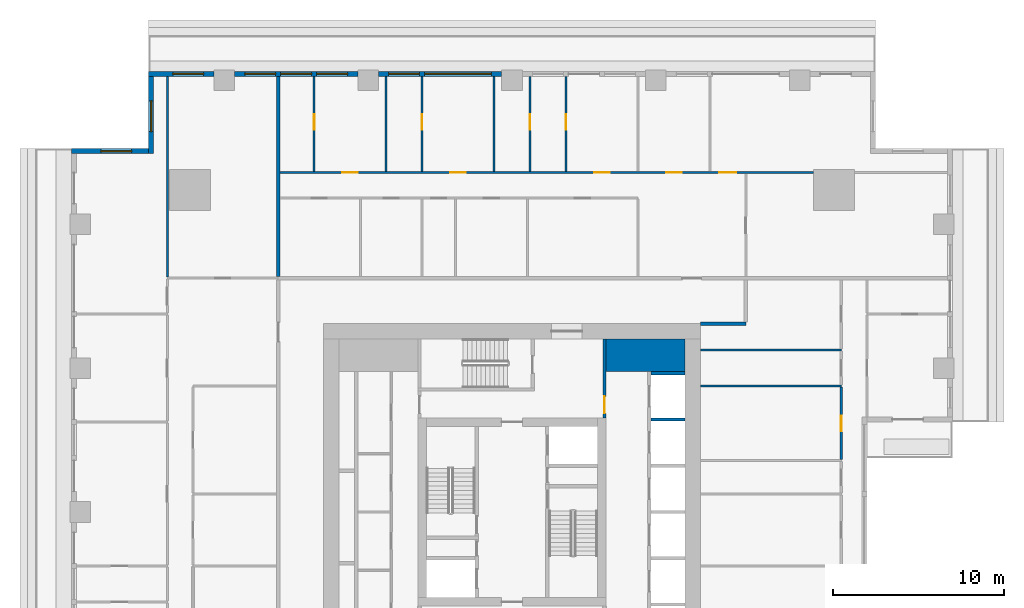
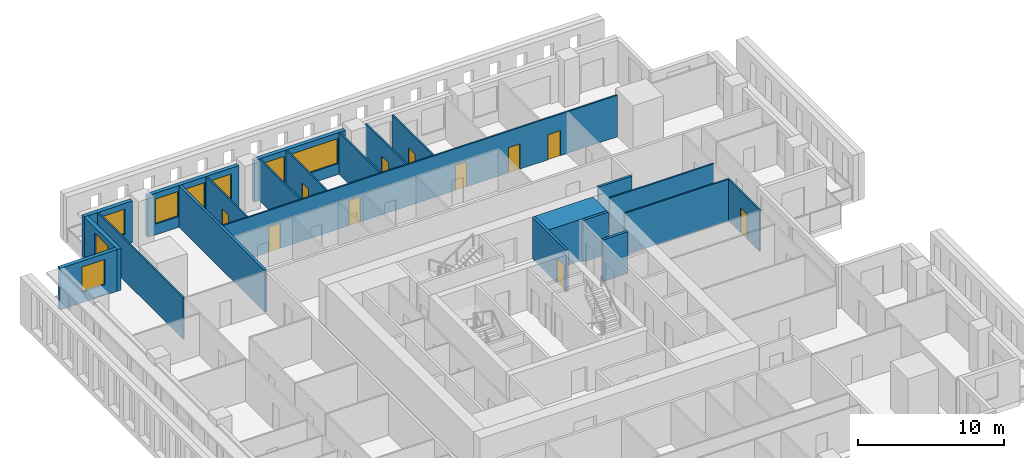
# One storey, part 7 of 15: 22 walls, 11 doors, 8 windows, 19 openings.
"""IFC4 building model written with IfcOpenShell, lengths in metres."""

from ifc_helpers import new_model, si_unit, direction, frame, frame_2d, origin, place, context, subcontext, project, spatial, rectangle, extrude, material, layer, layer_set, type_object, element, fill, save


model = new_model("IFC4")

# Units and contexts
model_context = context("Model", 3, precision=1e-05, world=origin(), true_north=direction((0.0, 1.0)))
body_context = subcontext(model_context, "Body", "Model", "MODEL_VIEW")
ifc_project = project(units=[si_unit("LENGTHUNIT", "METRE"), si_unit("AREAUNIT", "SQUARE_METRE"), si_unit("VOLUMEUNIT", "CUBIC_METRE"), si_unit("PLANEANGLEUNIT", "RADIAN"), si_unit("MASSUNIT", "GRAM", prefix="KILO")], contexts=[model_context])

# Site, building, storey
site_placement = place(None, origin())
site = spatial("IfcSite", under=ifc_project, at=site_placement, CompositionType="ELEMENT")
building_placement = place(site_placement, origin())
building = spatial("IfcBuilding", under=site, at=building_placement, Name="Khepri Terraces", CompositionType="ELEMENT")
storey_placement = place(building_placement, frame((0.0, 0.0, 196.199951171875)))
storey = spatial("IfcBuildingStorey", under=building, at=storey_placement, Name="L46", CompositionType="ELEMENT", Elevation=196.199951171875)

# Walls
ifc_material_1 = material(Name="Concrete C50/60", Category="concrete")
ifc_layer_1 = layer(ifc_material_1, 1.89990234375, Name="Concrete C50/60", Category="concrete")
ifc_layer_set_1 = layer_set([ifc_layer_1], Name="Concrete C50/60")
wall_type_1 = type_object("IfcWallType", Name="Core wall 1900 C50/60", PredefinedType="SHEAR", material=ifc_layer_set_1)
wall_1_placement = place(storey_placement, frame((5.5, 9.14990234375, 0.0), z_axis=(0.0, 0.0, 1.0), x_axis=(1.0, 0.0, 0.0)))
element("IfcWall", 1, at=wall_1_placement, inside=storey, type_object=wall_type_1, Name="Core wall PR04 L46", PredefinedType="SHEAR", context=body_context, shape_type="SweptSolid", body=[
    extrude(rectangle(XDim=4.60009765625, YDim=1.89990234375, at=frame_2d((2.300048828125, 0.0))), origin(), (0.0, 0.0, 1.0), 3.47998046875),
])
ifc_layer_2 = layer(ifc_material_1, 0.199951171875, Name="Concrete C50/60", Category="concrete")
ifc_layer_set_2 = layer_set([ifc_layer_2], Name="Concrete C50/60")
wall_type_2 = type_object("IfcWallType", Name="Core wall 200 C50/60", PredefinedType="SHEAR", material=ifc_layer_set_2)
for number, where, z_axis, x_axis, name in (
    (2, (8.10009765625, 5.39990234375, 0.0), (0.0, 0.0, 1.0), (1.0, 0.0, 0.0), "Core wall SH14 L46"),
    (3, (8.10009765625, 8.10009765625, 0.0), (0.0, 0.0, 1.0), (1.0, 0.0, 0.0), "Core wall SH15 L46"),
):
    element("IfcWall", number, at=place(storey_placement, frame(where, z_axis=z_axis, x_axis=x_axis)), inside=storey, type_object=wall_type_2, Name=name, PredefinedType="SHEAR", context=body_context, shape_type="SweptSolid", body=[
        extrude(rectangle(XDim=2.0, YDim=0.199951171875, at=frame_2d((1.0, 0.0))), origin(), (0.0, 0.0, 1.0), 3.47998046875),
    ])

# Wall, opening, door
ifc_material_2 = material(Name="Fire-rated gypsum board partition")
ifc_layer_3 = layer(ifc_material_2, 0.199951171875, Name="Fire-rated gypsum board partition")
ifc_layer_set_3 = layer_set([ifc_layer_3], Name="Fire-rated gypsum board partition")
wall_type_3 = type_object("IfcWallType", Name="WL-CORE-PART-200", PredefinedType="PARTITIONING", material=ifc_layer_set_3)
wall_2_placement = place(storey_placement, frame((5.39990234375, 5.5, 0.0), z_axis=(0.0, 0.0, 1.0), x_axis=(0.0, 1.0, 0.0)))
wall_2 = element("IfcWall", 4, at=wall_2_placement, inside=storey, type_object=wall_type_3, Name="Core partition PT10 L46", PredefinedType="PARTITIONING", context=body_context, shape_type="SweptSolid", body=[
    extrude(rectangle(XDim=4.60009765625, YDim=0.199951171875, at=frame_2d((2.300048828125, 0.0))), origin(), (0.0, 0.0, 1.0), 3.47998046875),
])
opening_1_placement = place(wall_2_placement, frame((0.25, 0.0, 0.0)))
opening_1 = element("IfcOpeningElement", 5, at=opening_1_placement, cuts=wall_2, Name="Opening L46-C17", PredefinedType="OPENING", context=body_context, shape_type="SweptSolid", body=[
    extrude(rectangle(XDim=1.0, YDim=2.10009765625, at=frame_2d((0.5, 1.050048828125))), frame((0.0, 0.10986328125, 0.0), z_axis=(0.0, -1.0, 0.0), x_axis=(1.0, 0.0, 0.0)), (0.0, 0.0, 1.0), 0.219970703125),
])
ifc_material_3 = material(Name="Painted steel", Category="steel")
door_type_1 = type_object("IfcDoorType", Name="DR-CORE-LOBBY-1000", OperationType="NOTDEFINED", PredefinedType="DOOR", material=ifc_material_3)
door_1_placement = place(opening_1_placement, origin())
door_1 = element("IfcDoor", 6, at=door_1_placement, inside=storey, type_object=door_type_1, Name="Lobby door L46-C17", OperationType="SINGLE_SWING_LEFT", OverallHeight=2.10009765625, OverallWidth=1.0, PredefinedType="DOOR", context=body_context, shape_type="SweptSolid", body=[
    extrude(rectangle(XDim=1.0, YDim=2.10009765625, at=frame_2d((0.5, 1.050048828125))), frame((0.0, 0.02490234375, 0.0), z_axis=(0.0, -1.0, 0.0), x_axis=(1.0, 0.0, 0.0)), (0.0, 0.0, 1.0), 0.050048828125),
])
fill(opening_1, door_1)

# Walls
ifc_material_4 = material(Name="Fire-rated gypsum plasterboard partition, mineral wool")
ifc_layer_4 = layer(ifc_material_4, 0.199951171875, Name="Fire-rated gypsum plasterboard partition, mineral wool")
ifc_layer_set_4 = layer_set([ifc_layer_4], Name="Fire-rated gypsum plasterboard partition, mineral wool")
wall_type_4 = type_object("IfcWallType", Name="WL-CORR-200", PredefinedType="PARTITIONING", material=ifc_layer_set_4)
wall_3_placement = place(storey_placement, frame((11.0, 11.0, 0.0), z_axis=(0.0, 0.0, 1.0), x_axis=(1.0, 0.0, 0.0)))
element("IfcWall", 7, at=wall_3_placement, inside=storey, type_object=wall_type_4, Name="Partition P-062 L46", PredefinedType="PARTITIONING", context=body_context, shape_type="SweptSolid", body=[
    extrude(rectangle(XDim=2.64990234375, YDim=0.199951171875, at=frame_2d((1.324951171875, 0.0))), origin(), (0.0, 0.0, 1.0), 3.47998046875),
])
wall_4_placement = place(storey_placement, frame((-13.64990234375, 13.75, 0.0), z_axis=(0.0, 0.0, 1.0), x_axis=(0.0, 1.0, 0.0)))
element("IfcWall", 8, at=wall_4_placement, inside=storey, type_object=wall_type_4, Name="Partition P-071 L46", PredefinedType="PARTITIONING", context=body_context, shape_type="SweptSolid", body=[
    extrude(rectangle(XDim=11.669921875, YDim=0.199951171875, at=frame_2d((5.8349609375, 0.0))), origin(), (0.0, 0.0, 1.0), 3.47998046875),
])

# Wall, openings, windows
ifc_material_5 = material(Name="Precast concrete C50/60 warm stone", Category="masonry")
ifc_layer_5 = layer(ifc_material_5, 0.300048828125, Name="Precast concrete C50/60 warm stone", Category="masonry")
ifc_layer_set_5 = layer_set([ifc_layer_5], Name="Precast concrete C50/60 warm stone")
wall_type_5 = type_object("IfcWallType", Name="WL-EXT-PRECAST-300", PredefinedType="STANDARD", material=ifc_layer_set_5)
wall_5_placement = place(storey_placement, frame((-0.60009765625, 25.570068359375, 0.0), z_axis=(0.0, 0.0, 1.0), x_axis=(-1.0, 0.0, 0.0)))
wall_5 = element("IfcWall", 9, at=wall_5_placement, inside=storey, type_object=wall_type_5, Name="External wall L46 N", PredefinedType="STANDARD", context=body_context, shape_type="SweptSolid", body=[
    extrude(rectangle(XDim=7.199951171875, YDim=0.300048828125, at=frame_2d((3.60009765625, 0.0))), origin(), (0.0, 0.0, 1.0), 3.47998046875),
])
opening_2_placement = place(wall_5_placement, frame((0.60009765625, 0.0, 0.89990234375)))
opening_2 = element("IfcOpeningElement", 10, at=opening_2_placement, cuts=wall_5, Name="Opening W2", PredefinedType="OPENING", context=body_context, shape_type="SweptSolid", body=[
    extrude(rectangle(XDim=3.89990234375, YDim=2.10009765625, at=frame_2d((1.949951171875, 1.050048828125))), frame((0.0, 0.16015625, 0.0), z_axis=(0.0, -1.0, 0.0), x_axis=(1.0, 0.0, 0.0)), (0.0, 0.0, 1.0), 0.320068359375),
])
opening_3_placement = place(wall_5_placement, frame((4.800048828125, 0.0, 0.89990234375)))
opening_3 = element("IfcOpeningElement", 11, at=opening_3_placement, cuts=wall_5, Name="Opening W1", PredefinedType="OPENING", context=body_context, shape_type="SweptSolid", body=[
    extrude(rectangle(XDim=1.800048828125, YDim=2.10009765625, at=frame_2d((0.89990234375, 1.050048828125))), frame((0.0, 0.16015625, 0.0), z_axis=(0.0, -1.0, 0.0), x_axis=(1.0, 0.0, 0.0)), (0.0, 0.0, 1.0), 0.320068359375),
])
ifc_material_6 = material(Name="Clear glass", Category="glass")
window_type_1 = type_object("IfcWindowType", Name="WIN-RES-1800x2100", PartitioningType="SINGLE_PANEL", PredefinedType="WINDOW", material=ifc_material_6)
window_1_placement = place(opening_3_placement, origin())
window_1 = element("IfcWindow", 12, at=window_1_placement, inside=storey, type_object=window_type_1, Name="Window L46 N", OverallHeight=2.10009765625, OverallWidth=1.800048828125, PartitioningType="SINGLE_PANEL", PredefinedType="WINDOW", context=body_context, shape_type="SweptSolid", body=[
    extrude(rectangle(XDim=1.800048828125, YDim=2.10009765625, at=frame_2d((0.89990234375, 1.050048828125))), frame((0.0, 0.030029296875, 0.0), z_axis=(0.0, -1.0, 0.0), x_axis=(1.0, 0.0, 0.0)), (0.0, 0.0, 1.0), 0.06005859375),
])
fill(opening_3, window_1)
window_type_2 = type_object("IfcWindowType", Name="WIN-RES-3900x2100", PartitioningType="SINGLE_PANEL", PredefinedType="WINDOW", material=ifc_material_6)
window_2_placement = place(opening_2_placement, origin())
window_2 = element("IfcWindow", 13, at=window_2_placement, inside=storey, type_object=window_type_2, Name="Window L46 N", OverallHeight=2.10009765625, OverallWidth=3.89990234375, PartitioningType="SINGLE_PANEL", PredefinedType="WINDOW", context=body_context, shape_type="SweptSolid", body=[
    extrude(rectangle(XDim=3.89990234375, YDim=2.10009765625, at=frame_2d((1.949951171875, 1.050048828125))), frame((0.0, 0.030029296875, 0.0), z_axis=(0.0, -1.0, 0.0), x_axis=(1.0, 0.0, 0.0)), (0.0, 0.0, 1.0), 0.06005859375),
])
fill(opening_2, window_2)

wall_6_placement = place(storey_placement, frame((-9.0, 25.570068359375, 0.0), z_axis=(0.0, 0.0, 1.0), x_axis=(-1.0, 0.0, 0.0)))
wall_6 = element("IfcWall", 14, at=wall_6_placement, inside=storey, type_object=wall_type_5, Name="External wall L46 N", PredefinedType="STANDARD", context=body_context, shape_type="SweptSolid", body=[
    extrude(rectangle(XDim=7.199951171875, YDim=0.300048828125, at=frame_2d((3.60009765625, 0.0))), origin(), (0.0, 0.0, 1.0), 3.47998046875),
])
opening_4_placement = place(wall_6_placement, frame((0.60009765625, 0.0, 0.89990234375)))
opening_4 = element("IfcOpeningElement", 15, at=opening_4_placement, cuts=wall_6, Name="Opening W1", PredefinedType="OPENING", context=body_context, shape_type="SweptSolid", body=[
    extrude(rectangle(XDim=1.800048828125, YDim=2.10009765625, at=frame_2d((0.89990234375, 1.050048828125))), frame((0.0, 0.16015625, 0.0), z_axis=(0.0, -1.0, 0.0), x_axis=(1.0, 0.0, 0.0)), (0.0, 0.0, 1.0), 0.320068359375),
])
opening_5_placement = place(wall_6_placement, frame((2.699951171875, 0.0, 0.89990234375)))
opening_5 = element("IfcOpeningElement", 16, at=opening_5_placement, cuts=wall_6, Name="Opening W1", PredefinedType="OPENING", context=body_context, shape_type="SweptSolid", body=[
    extrude(rectangle(XDim=1.800048828125, YDim=2.10009765625, at=frame_2d((0.89990234375, 1.050048828125))), frame((0.0, 0.16015625, 0.0), z_axis=(0.0, -1.0, 0.0), x_axis=(1.0, 0.0, 0.0)), (0.0, 0.0, 1.0), 0.320068359375),
])
opening_6_placement = place(wall_6_placement, frame((4.800048828125, 0.0, 0.89990234375)))
opening_6 = element("IfcOpeningElement", 17, at=opening_6_placement, cuts=wall_6, Name="Opening W1", PredefinedType="OPENING", context=body_context, shape_type="SweptSolid", body=[
    extrude(rectangle(XDim=1.800048828125, YDim=2.10009765625, at=frame_2d((0.89990234375, 1.050048828125))), frame((0.0, 0.16015625, 0.0), z_axis=(0.0, -1.0, 0.0), x_axis=(1.0, 0.0, 0.0)), (0.0, 0.0, 1.0), 0.320068359375),
])
window_3_placement = place(opening_4_placement, origin())
window_3 = element("IfcWindow", 18, at=window_3_placement, inside=storey, type_object=window_type_1, Name="Window L46 N", OverallHeight=2.10009765625, OverallWidth=1.800048828125, PartitioningType="SINGLE_PANEL", PredefinedType="WINDOW", context=body_context, shape_type="SweptSolid", body=[
    extrude(rectangle(XDim=1.800048828125, YDim=2.10009765625, at=frame_2d((0.89990234375, 1.050048828125))), frame((0.0, 0.030029296875, 0.0), z_axis=(0.0, -1.0, 0.0), x_axis=(1.0, 0.0, 0.0)), (0.0, 0.0, 1.0), 0.06005859375),
])
fill(opening_4, window_3)
window_4_placement = place(opening_5_placement, origin())
window_4 = element("IfcWindow", 19, at=window_4_placement, inside=storey, type_object=window_type_1, Name="Window L46 N", OverallHeight=2.10009765625, OverallWidth=1.800048828125, PartitioningType="SINGLE_PANEL", PredefinedType="WINDOW", context=body_context, shape_type="SweptSolid", body=[
    extrude(rectangle(XDim=1.800048828125, YDim=2.10009765625, at=frame_2d((0.89990234375, 1.050048828125))), frame((0.0, 0.030029296875, 0.0), z_axis=(0.0, -1.0, 0.0), x_axis=(1.0, 0.0, 0.0)), (0.0, 0.0, 1.0), 0.06005859375),
])
fill(opening_5, window_4)
window_5_placement = place(opening_6_placement, origin())
window_5 = element("IfcWindow", 20, at=window_5_placement, inside=storey, type_object=window_type_1, Name="Window L46 N", OverallHeight=2.10009765625, OverallWidth=1.800048828125, PartitioningType="SINGLE_PANEL", PredefinedType="WINDOW", context=body_context, shape_type="SweptSolid", body=[
    extrude(rectangle(XDim=1.800048828125, YDim=2.10009765625, at=frame_2d((0.89990234375, 1.050048828125))), frame((0.0, 0.030029296875, 0.0), z_axis=(0.0, -1.0, 0.0), x_axis=(1.0, 0.0, 0.0)), (0.0, 0.0, 1.0), 0.06005859375),
])
fill(opening_6, window_5)

# Wall, opening, window
wall_7_placement = place(storey_placement, frame((-17.39990234375, 25.570068359375, 0.0), z_axis=(0.0, 0.0, 1.0), x_axis=(-1.0, 0.0, 0.0)))
wall_7 = element("IfcWall", 21, at=wall_7_placement, inside=storey, type_object=wall_type_5, Name="External wall L46 N", PredefinedType="STANDARD", context=body_context, shape_type="SweptSolid", body=[
    extrude(rectangle(XDim=3.820068359375, YDim=0.300048828125, at=frame_2d((1.91015625, 0.0))), origin(), (0.0, 0.0, 1.0), 3.47998046875),
])
opening_7_placement = place(wall_7_placement, frame((0.60009765625, 0.0, 0.89990234375)))
opening_7 = element("IfcOpeningElement", 22, at=opening_7_placement, cuts=wall_7, Name="Opening W1", PredefinedType="OPENING", context=body_context, shape_type="SweptSolid", body=[
    extrude(rectangle(XDim=1.800048828125, YDim=2.10009765625, at=frame_2d((0.89990234375, 1.050048828125))), frame((0.0, 0.16015625, 0.0), z_axis=(0.0, -1.0, 0.0), x_axis=(1.0, 0.0, 0.0)), (0.0, 0.0, 1.0), 0.320068359375),
])
window_6_placement = place(opening_7_placement, origin())
window_6 = element("IfcWindow", 23, at=window_6_placement, inside=storey, type_object=window_type_1, Name="Window L46 N", OverallHeight=2.10009765625, OverallWidth=1.800048828125, PartitioningType="SINGLE_PANEL", PredefinedType="WINDOW", context=body_context, shape_type="SweptSolid", body=[
    extrude(rectangle(XDim=1.800048828125, YDim=2.10009765625, at=frame_2d((0.89990234375, 1.050048828125))), frame((0.0, 0.030029296875, 0.0), z_axis=(0.0, -1.0, 0.0), x_axis=(1.0, 0.0, 0.0)), (0.0, 0.0, 1.0), 0.06005859375),
])
fill(opening_7, window_6)

wall_8_placement = place(storey_placement, frame((-21.070068359375, 25.419921875, 0.0), z_axis=(0.0, 0.0, 1.0), x_axis=(0.0, -1.0, 0.0)))
wall_8 = element("IfcWall", 24, at=wall_8_placement, inside=storey, type_object=wall_type_5, Name="External wall L46 W", PredefinedType="STANDARD", context=body_context, shape_type="SweptSolid", body=[
    extrude(rectangle(XDim=4.5, YDim=0.300048828125, at=frame_2d((2.25, 0.0))), origin(), (0.0, 0.0, 1.0), 3.47998046875),
])
opening_8_placement = place(wall_8_placement, frame((1.419921875, 0.0, 0.89990234375)))
opening_8 = element("IfcOpeningElement", 25, at=opening_8_placement, cuts=wall_8, Name="Opening W1", PredefinedType="OPENING", context=body_context, shape_type="SweptSolid", body=[
    extrude(rectangle(XDim=1.800048828125, YDim=2.10009765625, at=frame_2d((0.89990234375, 1.050048828125))), frame((0.0, 0.16015625, 0.0), z_axis=(0.0, -1.0, 0.0), x_axis=(1.0, 0.0, 0.0)), (0.0, 0.0, 1.0), 0.320068359375),
])
window_7_placement = place(opening_8_placement, origin())
window_7 = element("IfcWindow", 26, at=window_7_placement, inside=storey, type_object=window_type_1, Name="Window L46 W", OverallHeight=2.10009765625, OverallWidth=1.800048828125, PartitioningType="SINGLE_PANEL", PredefinedType="WINDOW", context=body_context, shape_type="SweptSolid", body=[
    extrude(rectangle(XDim=1.800048828125, YDim=2.10009765625, at=frame_2d((0.89990234375, 1.050048828125))), frame((0.0, 0.030029296875, 0.0), z_axis=(0.0, -1.0, 0.0), x_axis=(1.0, 0.0, 0.0)), (0.0, 0.0, 1.0), 0.06005859375),
])
fill(opening_8, window_7)

wall_9_placement = place(storey_placement, frame((-21.219970703125, 21.070068359375, 0.0), z_axis=(0.0, 0.0, 1.0), x_axis=(-1.0, 0.0, 0.0)))
wall_9 = element("IfcWall", 27, at=wall_9_placement, inside=storey, type_object=wall_type_5, Name="External wall L46 N", PredefinedType="STANDARD", context=body_context, shape_type="SweptSolid", body=[
    extrude(rectangle(XDim=4.5, YDim=0.300048828125, at=frame_2d((2.25, 0.0))), origin(), (0.0, 0.0, 1.0), 3.47998046875),
])
opening_9_placement = place(wall_9_placement, frame((0.97998046875, 0.0, 0.89990234375)))
opening_9 = element("IfcOpeningElement", 28, at=opening_9_placement, cuts=wall_9, Name="Opening W1", PredefinedType="OPENING", context=body_context, shape_type="SweptSolid", body=[
    extrude(rectangle(XDim=1.800048828125, YDim=2.10009765625, at=frame_2d((0.89990234375, 1.050048828125))), frame((0.0, 0.16015625, 0.0), z_axis=(0.0, -1.0, 0.0), x_axis=(1.0, 0.0, 0.0)), (0.0, 0.0, 1.0), 0.320068359375),
])
window_8_placement = place(opening_9_placement, origin())
window_8 = element("IfcWindow", 29, at=window_8_placement, inside=storey, type_object=window_type_1, Name="Window L46 N", OverallHeight=2.10009765625, OverallWidth=1.800048828125, PartitioningType="SINGLE_PANEL", PredefinedType="WINDOW", context=body_context, shape_type="SweptSolid", body=[
    extrude(rectangle(XDim=1.800048828125, YDim=2.10009765625, at=frame_2d((0.89990234375, 1.050048828125))), frame((0.0, 0.030029296875, 0.0), z_axis=(0.0, -1.0, 0.0), x_axis=(1.0, 0.0, 0.0)), (0.0, 0.0, 1.0), 0.06005859375),
])
fill(opening_9, window_8)

# Wall, opening, door
ifc_material_7 = material(Name="Gypsum plasterboard partition")
ifc_layer_6 = layer(ifc_material_7, 0.1201171875, Name="Gypsum plasterboard partition")
ifc_layer_set_6 = layer_set([ifc_layer_6], Name="Gypsum plasterboard partition")
wall_type_6 = type_object("IfcWallType", Name="WL-PART-120", PredefinedType="PARTITIONING", material=ifc_layer_set_6)
wall_10_placement = place(storey_placement, frame((19.219970703125, 3.06005859375, 0.0), z_axis=(0.0, 0.0, 1.0), x_axis=(0.0, 1.0, 0.0)))
wall_10 = element("IfcWall", 30, at=wall_10_placement, inside=storey, type_object=wall_type_6, Name="Partition P-053 L46", PredefinedType="PARTITIONING", context=body_context, shape_type="SweptSolid", body=[
    extrude(rectangle(XDim=4.22998046875, YDim=0.1201171875, at=frame_2d((2.114990234375, 0.0))), origin(), (0.0, 0.0, 1.0), 3.47998046875),
])
opening_10_placement = place(wall_10_placement, frame((1.6650390625, 0.0, 0.0)))
opening_10 = element("IfcOpeningElement", 31, at=opening_10_placement, cuts=wall_10, Name="Opening D3", PredefinedType="OPENING", context=body_context, shape_type="SweptSolid", body=[
    extrude(rectangle(XDim=0.89990234375, YDim=2.10009765625, at=frame_2d((0.449951171875, 1.050048828125))), frame((0.0, 0.070068359375, 0.0), z_axis=(0.0, -1.0, 0.0), x_axis=(1.0, 0.0, 0.0)), (0.0, 0.0, 1.0), 0.14013671875),
])
ifc_material_8 = material(Name="Timber door leaf", Category="wood")
door_type_2 = type_object("IfcDoorType", Name="DR-INT-900", OperationType="NOTDEFINED", PredefinedType="DOOR", material=ifc_material_8)
door_2_placement = place(opening_10_placement, origin())
door_2 = element("IfcDoor", 32, at=door_2_placement, inside=storey, type_object=door_type_2, Name="Door Utility Room", OperationType="SINGLE_SWING_LEFT", OverallHeight=2.10009765625, OverallWidth=0.89990234375, PredefinedType="DOOR", context=body_context, shape_type="SweptSolid", body=[
    extrude(rectangle(XDim=0.89990234375, YDim=2.10009765625, at=frame_2d((0.449951171875, 1.050048828125))), frame((0.0, 0.02490234375, 0.0), z_axis=(0.0, -1.0, 0.0), x_axis=(1.0, 0.0, 0.0)), (0.0, 0.0, 1.0), 0.050048828125),
])
fill(opening_10, door_2)

# Walls
for number, where, z_axis, x_axis, name in (
    (33, (11.0, 7.35009765625, 0.0), (0.0, 0.0, 1.0), (1.0, 0.0, 0.0), "Partition P-058 L46"),
    (34, (11.0, 9.449951171875, 0.0), (0.0, 0.0, 1.0), (1.0, 0.0, 0.0), "Partition P-060 L46"),
):
    element("IfcWall", number, at=place(storey_placement, frame(where, z_axis=z_axis, x_axis=x_axis)), inside=storey, type_object=wall_type_6, Name=name, PredefinedType="PARTITIONING", context=body_context, shape_type="SweptSolid", body=[
        extrude(rectangle(XDim=8.219970703125, YDim=0.1201171875, at=frame_2d((4.10986328125, 0.0))), origin(), (0.0, 0.0, 1.0), 3.47998046875),
    ])
wall_11_placement = place(storey_placement, frame((-20.1201171875, 13.7099609375, 0.0), z_axis=(0.0, 0.0, 1.0), x_axis=(0.0, 1.0, 0.0)))
element("IfcWall", 35, at=wall_11_placement, inside=storey, type_object=wall_type_6, Name="Partition P-070 L46", PredefinedType="PARTITIONING", context=body_context, shape_type="SweptSolid", body=[
    extrude(rectangle(XDim=11.7099609375, YDim=0.1201171875, at=frame_2d((5.85498046875, 0.0))), origin(), (0.0, 0.0, 1.0), 3.47998046875),
])

# Wall, openings, doors
wall_12_placement = place(storey_placement, frame((-13.550048828125, 19.820068359375, 0.0), z_axis=(0.0, 0.0, 1.0), x_axis=(1.0, 0.0, 0.0)))
wall_12 = element("IfcWall", 36, at=wall_12_placement, inside=storey, type_object=wall_type_6, Name="Partition P-079 L46", PredefinedType="PARTITIONING", context=body_context, shape_type="SweptSolid", body=[
    extrude(rectangle(XDim=31.150146484375, YDim=0.1201171875, at=frame_2d((15.5751953125, 0.0))), origin(), (0.0, 0.0, 1.0), 3.47998046875),
])
opening_11_placement = place(wall_12_placement, frame((25.64990234375, 0.0, 0.0)))
opening_11 = element("IfcOpeningElement", 37, at=opening_11_placement, cuts=wall_12, Name="Opening D2", PredefinedType="OPENING", context=body_context, shape_type="SweptSolid", body=[
    extrude(rectangle(XDim=1.0, YDim=2.10009765625, at=frame_2d((0.5, 1.050048828125))), frame((0.0, 0.070068359375, 0.0), z_axis=(0.0, -1.0, 0.0), x_axis=(1.0, 0.0, 0.0)), (0.0, 0.0, 1.0), 0.14013671875),
])
opening_12_placement = place(wall_12_placement, frame((22.550048828125, 0.0, 0.0)))
opening_12 = element("IfcOpeningElement", 38, at=opening_12_placement, cuts=wall_12, Name="Opening D3", PredefinedType="OPENING", context=body_context, shape_type="SweptSolid", body=[
    extrude(rectangle(XDim=0.89990234375, YDim=2.10009765625, at=frame_2d((0.449951171875, 1.050048828125))), frame((0.0, 0.070068359375, 0.0), z_axis=(0.0, -1.0, 0.0), x_axis=(1.0, 0.0, 0.0)), (0.0, 0.0, 1.0), 0.14013671875),
])
opening_13_placement = place(wall_12_placement, frame((18.35009765625, 0.0, 0.0)))
opening_13 = element("IfcOpeningElement", 39, at=opening_13_placement, cuts=wall_12, Name="Opening D3", PredefinedType="OPENING", context=body_context, shape_type="SweptSolid", body=[
    extrude(rectangle(XDim=0.89990234375, YDim=2.10009765625, at=frame_2d((0.449951171875, 1.050048828125))), frame((0.0, 0.070068359375, 0.0), z_axis=(0.0, -1.0, 0.0), x_axis=(1.0, 0.0, 0.0)), (0.0, 0.0, 1.0), 0.14013671875),
])
opening_14_placement = place(wall_12_placement, frame((9.949951171875, 0.0, 0.0)))
opening_14 = element("IfcOpeningElement", 40, at=opening_14_placement, cuts=wall_12, Name="Opening D3", PredefinedType="OPENING", context=body_context, shape_type="SweptSolid", body=[
    extrude(rectangle(XDim=0.89990234375, YDim=2.10009765625, at=frame_2d((0.449951171875, 1.050048828125))), frame((0.0, 0.070068359375, 0.0), z_axis=(0.0, -1.0, 0.0), x_axis=(1.0, 0.0, 0.0)), (0.0, 0.0, 1.0), 0.14013671875),
])
opening_15_placement = place(wall_12_placement, frame((3.64990234375, 0.0, 0.0)))
opening_15 = element("IfcOpeningElement", 41, at=opening_15_placement, cuts=wall_12, Name="Opening D3", PredefinedType="OPENING", context=body_context, shape_type="SweptSolid", body=[
    extrude(rectangle(XDim=0.89990234375, YDim=2.10009765625, at=frame_2d((0.449951171875, 1.050048828125))), frame((0.0, 0.070068359375, 0.0), z_axis=(0.0, -1.0, 0.0), x_axis=(1.0, 0.0, 0.0)), (0.0, 0.0, 1.0), 0.14013671875),
])
ifc_material_9 = material(Name="Timber door leaf, living room door", Category="wood")
door_type_3 = type_object("IfcDoorType", Name="DR-INT-1000", OperationType="NOTDEFINED", PredefinedType="DOOR", material=ifc_material_9)
door_3_placement = place(opening_11_placement, origin())
door_3 = element("IfcDoor", 42, at=door_3_placement, inside=storey, type_object=door_type_3, Name="Door Living Room", OperationType="SINGLE_SWING_RIGHT", OverallHeight=2.10009765625, OverallWidth=1.0, PredefinedType="DOOR", context=body_context, shape_type="SweptSolid", body=[
    extrude(rectangle(XDim=1.0, YDim=2.10009765625, at=frame_2d((0.5, 1.050048828125))), frame((0.0, 0.02490234375, 0.0), z_axis=(0.0, -1.0, 0.0), x_axis=(1.0, 0.0, 0.0)), (0.0, 0.0, 1.0), 0.050048828125),
])
fill(opening_11, door_3)
door_4_placement = place(opening_12_placement, origin())
door_4 = element("IfcDoor", 43, at=door_4_placement, inside=storey, type_object=door_type_2, Name="Door Study", OperationType="SINGLE_SWING_RIGHT", OverallHeight=2.10009765625, OverallWidth=0.89990234375, PredefinedType="DOOR", context=body_context, shape_type="SweptSolid", body=[
    extrude(rectangle(XDim=0.89990234375, YDim=2.10009765625, at=frame_2d((0.449951171875, 1.050048828125))), frame((0.0, 0.02490234375, 0.0), z_axis=(0.0, -1.0, 0.0), x_axis=(1.0, 0.0, 0.0)), (0.0, 0.0, 1.0), 0.050048828125),
])
fill(opening_12, door_4)
door_5_placement = place(opening_13_placement, origin())
door_5 = element("IfcDoor", 44, at=door_5_placement, inside=storey, type_object=door_type_2, Name="Door Master Bedroom", OperationType="SINGLE_SWING_RIGHT", OverallHeight=2.10009765625, OverallWidth=0.89990234375, PredefinedType="DOOR", context=body_context, shape_type="SweptSolid", body=[
    extrude(rectangle(XDim=0.89990234375, YDim=2.10009765625, at=frame_2d((0.449951171875, 1.050048828125))), frame((0.0, 0.02490234375, 0.0), z_axis=(0.0, -1.0, 0.0), x_axis=(1.0, 0.0, 0.0)), (0.0, 0.0, 1.0), 0.050048828125),
])
fill(opening_13, door_5)
door_6_placement = place(opening_14_placement, origin())
door_6 = element("IfcDoor", 45, at=door_6_placement, inside=storey, type_object=door_type_2, Name="Door Bedroom", OperationType="SINGLE_SWING_LEFT", OverallHeight=2.10009765625, OverallWidth=0.89990234375, PredefinedType="DOOR", context=body_context, shape_type="SweptSolid", body=[
    extrude(rectangle(XDim=0.89990234375, YDim=2.10009765625, at=frame_2d((0.449951171875, 1.050048828125))), frame((0.0, 0.02490234375, 0.0), z_axis=(0.0, -1.0, 0.0), x_axis=(1.0, 0.0, 0.0)), (0.0, 0.0, 1.0), 0.050048828125),
])
fill(opening_14, door_6)
door_7_placement = place(opening_15_placement, origin())
door_7 = element("IfcDoor", 46, at=door_7_placement, inside=storey, type_object=door_type_2, Name="Door Bedroom", OperationType="SINGLE_SWING_LEFT", OverallHeight=2.10009765625, OverallWidth=0.89990234375, PredefinedType="DOOR", context=body_context, shape_type="SweptSolid", body=[
    extrude(rectangle(XDim=0.89990234375, YDim=2.10009765625, at=frame_2d((0.449951171875, 1.050048828125))), frame((0.0, 0.02490234375, 0.0), z_axis=(0.0, -1.0, 0.0), x_axis=(1.0, 0.0, 0.0)), (0.0, 0.0, 1.0), 0.050048828125),
])
fill(opening_15, door_7)

# Wall, opening, door
wall_13_placement = place(storey_placement, frame((-11.550048828125, 19.8798828125, 0.0), z_axis=(0.0, 0.0, 1.0), x_axis=(0.0, 1.0, 0.0)))
wall_13 = element("IfcWall", 47, at=wall_13_placement, inside=storey, type_object=wall_type_6, Name="Partition P-081 L46", PredefinedType="PARTITIONING", context=body_context, shape_type="SweptSolid", body=[
    extrude(rectangle(XDim=5.5400390625, YDim=0.1201171875, at=frame_2d((2.77001953125, 0.0))), origin(), (0.0, 0.0, 1.0), 3.47998046875),
])
opening_16_placement = place(wall_13_placement, frame((2.43994140625, 0.0, 0.0)))
opening_16 = element("IfcOpeningElement", 48, at=opening_16_placement, cuts=wall_13, Name="Opening D4", PredefinedType="OPENING", context=body_context, shape_type="SweptSolid", body=[
    extrude(rectangle(XDim=0.89990234375, YDim=2.10009765625, at=frame_2d((0.449951171875, 1.050048828125))), frame((0.0, 0.070068359375, 0.0), z_axis=(0.0, -1.0, 0.0), x_axis=(1.0, 0.0, 0.0)), (0.0, 0.0, 1.0), 0.14013671875),
])
ifc_material_10 = material(Name="Timber door leaf, moisture resistant", Category="wood")
door_type_4 = type_object("IfcDoorType", Name="DR-WET-900", OperationType="NOTDEFINED", PredefinedType="DOOR", material=ifc_material_10)
door_8_placement = place(opening_16_placement, origin())
door_8 = element("IfcDoor", 49, at=door_8_placement, inside=storey, type_object=door_type_4, Name="Door Bathroom", OperationType="SINGLE_SWING_RIGHT", OverallHeight=2.10009765625, OverallWidth=0.89990234375, PredefinedType="DOOR", context=body_context, shape_type="SweptSolid", body=[
    extrude(rectangle(XDim=0.89990234375, YDim=2.10009765625, at=frame_2d((0.449951171875, 1.050048828125))), frame((0.0, 0.02490234375, 0.0), z_axis=(0.0, -1.0, 0.0), x_axis=(1.0, 0.0, 0.0)), (0.0, 0.0, 1.0), 0.050048828125),
])
fill(opening_16, door_8)

# Wall
wall_14_placement = place(storey_placement, frame((-7.35009765625, 19.8798828125, 0.0), z_axis=(0.0, 0.0, 1.0), x_axis=(0.0, 1.0, 0.0)))
element("IfcWall", 50, at=wall_14_placement, inside=storey, type_object=wall_type_6, Name="Partition P-082 L46", PredefinedType="PARTITIONING", context=body_context, shape_type="SweptSolid", body=[
    extrude(rectangle(XDim=5.5400390625, YDim=0.1201171875, at=frame_2d((2.77001953125, 0.0))), origin(), (0.0, 0.0, 1.0), 3.47998046875),
])

# Wall, opening, door
wall_15_placement = place(storey_placement, frame((-5.25, 19.8798828125, 0.0), z_axis=(0.0, 0.0, 1.0), x_axis=(0.0, 1.0, 0.0)))
wall_15 = element("IfcWall", 51, at=wall_15_placement, inside=storey, type_object=wall_type_6, Name="Partition P-083 L46", PredefinedType="PARTITIONING", context=body_context, shape_type="SweptSolid", body=[
    extrude(rectangle(XDim=5.5400390625, YDim=0.1201171875, at=frame_2d((2.77001953125, 0.0))), origin(), (0.0, 0.0, 1.0), 3.47998046875),
])
opening_17_placement = place(wall_15_placement, frame((2.43994140625, 0.0, 0.0)))
opening_17 = element("IfcOpeningElement", 52, at=opening_17_placement, cuts=wall_15, Name="Opening D4", PredefinedType="OPENING", context=body_context, shape_type="SweptSolid", body=[
    extrude(rectangle(XDim=0.89990234375, YDim=2.10009765625, at=frame_2d((0.449951171875, 1.050048828125))), frame((0.0, 0.070068359375, 0.0), z_axis=(0.0, -1.0, 0.0), x_axis=(1.0, 0.0, 0.0)), (0.0, 0.0, 1.0), 0.14013671875),
])
door_9_placement = place(opening_17_placement, origin())
door_9 = element("IfcDoor", 53, at=door_9_placement, inside=storey, type_object=door_type_4, Name="Door Bathroom", OperationType="SINGLE_SWING_RIGHT", OverallHeight=2.10009765625, OverallWidth=0.89990234375, PredefinedType="DOOR", context=body_context, shape_type="SweptSolid", body=[
    extrude(rectangle(XDim=0.89990234375, YDim=2.10009765625, at=frame_2d((0.449951171875, 1.050048828125))), frame((0.0, 0.02490234375, 0.0), z_axis=(0.0, -1.0, 0.0), x_axis=(1.0, 0.0, 0.0)), (0.0, 0.0, 1.0), 0.050048828125),
])
fill(opening_17, door_9)

# Wall
wall_16_placement = place(storey_placement, frame((-1.050048828125, 19.8798828125, 0.0), z_axis=(0.0, 0.0, 1.0), x_axis=(0.0, 1.0, 0.0)))
element("IfcWall", 54, at=wall_16_placement, inside=storey, type_object=wall_type_6, Name="Partition P-084 L46", PredefinedType="PARTITIONING", context=body_context, shape_type="SweptSolid", body=[
    extrude(rectangle(XDim=5.5400390625, YDim=0.1201171875, at=frame_2d((2.77001953125, 0.0))), origin(), (0.0, 0.0, 1.0), 3.47998046875),
])

# Wall, opening, door
wall_17_placement = place(storey_placement, frame((1.050048828125, 19.8798828125, 0.0), z_axis=(0.0, 0.0, 1.0), x_axis=(0.0, 1.0, 0.0)))
wall_17 = element("IfcWall", 55, at=wall_17_placement, inside=storey, type_object=wall_type_6, Name="Partition P-085 L46", PredefinedType="PARTITIONING", context=body_context, shape_type="SweptSolid", body=[
    extrude(rectangle(XDim=5.5400390625, YDim=0.1201171875, at=frame_2d((2.77001953125, 0.0))), origin(), (0.0, 0.0, 1.0), 3.47998046875),
])
opening_18_placement = place(wall_17_placement, frame((2.43994140625, 0.0, 0.0)))
opening_18 = element("IfcOpeningElement", 56, at=opening_18_placement, cuts=wall_17, Name="Opening D4", PredefinedType="OPENING", context=body_context, shape_type="SweptSolid", body=[
    extrude(rectangle(XDim=0.89990234375, YDim=2.10009765625, at=frame_2d((0.449951171875, 1.050048828125))), frame((0.0, 0.070068359375, 0.0), z_axis=(0.0, -1.0, 0.0), x_axis=(1.0, 0.0, 0.0)), (0.0, 0.0, 1.0), 0.14013671875),
])
door_10_placement = place(opening_18_placement, origin())
door_10 = element("IfcDoor", 57, at=door_10_placement, inside=storey, type_object=door_type_4, Name="Door Bathroom", OperationType="SINGLE_SWING_RIGHT", OverallHeight=2.10009765625, OverallWidth=0.89990234375, PredefinedType="DOOR", context=body_context, shape_type="SweptSolid", body=[
    extrude(rectangle(XDim=0.89990234375, YDim=2.10009765625, at=frame_2d((0.449951171875, 1.050048828125))), frame((0.0, 0.02490234375, 0.0), z_axis=(0.0, -1.0, 0.0), x_axis=(1.0, 0.0, 0.0)), (0.0, 0.0, 1.0), 0.050048828125),
])
fill(opening_18, door_10)

wall_18_placement = place(storey_placement, frame((3.14990234375, 19.8798828125, 0.0), z_axis=(0.0, 0.0, 1.0), x_axis=(0.0, 1.0, 0.0)))
wall_18 = element("IfcWall", 58, at=wall_18_placement, inside=storey, type_object=wall_type_6, Name="Partition P-086 L46", PredefinedType="PARTITIONING", context=body_context, shape_type="SweptSolid", body=[
    extrude(rectangle(XDim=5.5400390625, YDim=0.1201171875, at=frame_2d((2.77001953125, 0.0))), origin(), (0.0, 0.0, 1.0), 3.47998046875),
])
opening_19_placement = place(wall_18_placement, frame((2.43994140625, 0.0, 0.0)))
opening_19 = element("IfcOpeningElement", 59, at=opening_19_placement, cuts=wall_18, Name="Opening D3", PredefinedType="OPENING", context=body_context, shape_type="SweptSolid", body=[
    extrude(rectangle(XDim=0.89990234375, YDim=2.10009765625, at=frame_2d((0.449951171875, 1.050048828125))), frame((0.0, 0.070068359375, 0.0), z_axis=(0.0, -1.0, 0.0), x_axis=(1.0, 0.0, 0.0)), (0.0, 0.0, 1.0), 0.14013671875),
])
door_11_placement = place(opening_19_placement, origin())
door_11 = element("IfcDoor", 60, at=door_11_placement, inside=storey, type_object=door_type_2, Name="Door Dressing Room", OperationType="SINGLE_SWING_RIGHT", OverallHeight=2.10009765625, OverallWidth=0.89990234375, PredefinedType="DOOR", context=body_context, shape_type="SweptSolid", body=[
    extrude(rectangle(XDim=0.89990234375, YDim=2.10009765625, at=frame_2d((0.449951171875, 1.050048828125))), frame((0.0, 0.02490234375, 0.0), z_axis=(0.0, -1.0, 0.0), x_axis=(1.0, 0.0, 0.0)), (0.0, 0.0, 1.0), 0.050048828125),
])
fill(opening_19, door_11)

save(model, "model.ifc")
